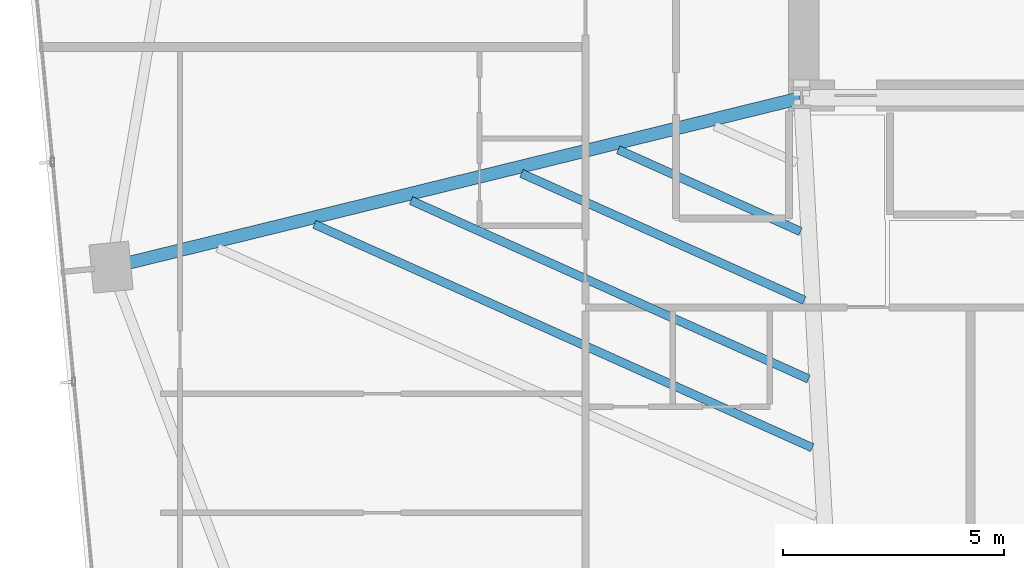
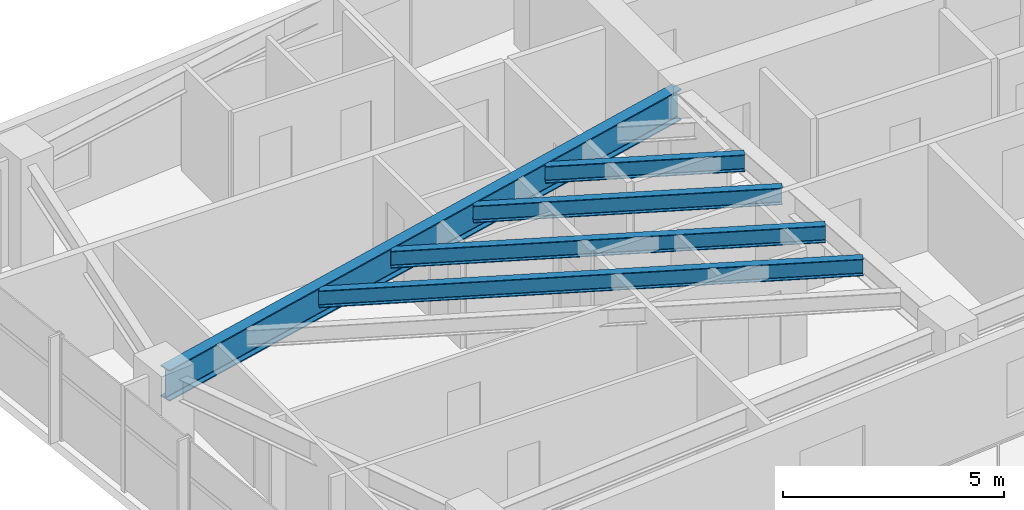
# One storey, part 5 of 27: 5 beams.
"""IFC4 building model written with IfcOpenShell, lengths in metres."""

from ifc_helpers import new_model, si_unit, direction, frame, origin, origin_2d, place, context, subcontext, project, spatial, i_section, extrude, source, transform, mapped, material, material_profile, profile_set, type_object, type_shapes, element, save


model = new_model("IFC4")

# Units and contexts
model_context = context("Model", 3, precision=1e-05, world=origin(), true_north=direction((0.0, 1.0)))
body_context = subcontext(model_context, "Body", "Model", "MODEL_VIEW")
ifc_project = project(units=[si_unit("LENGTHUNIT", "METRE"), si_unit("AREAUNIT", "SQUARE_METRE"), si_unit("VOLUMEUNIT", "CUBIC_METRE"), si_unit("PLANEANGLEUNIT", "RADIAN"), si_unit("MASSUNIT", "GRAM", prefix="KILO")], contexts=[model_context])

# Site, building, storey
site_placement = place(None, origin())
site = spatial("IfcSite", under=ifc_project, at=site_placement, CompositionType="ELEMENT")
building_placement = place(site_placement, origin())
building = spatial("IfcBuilding", under=site, at=building_placement, Name="Astriad Promenade Condominiums", CompositionType="ELEMENT")
storey_placement = place(building_placement, frame((0.0, 0.0, 109.800048828125)))
storey = spatial("IfcBuildingStorey", under=building, at=storey_placement, Name="L31", CompositionType="ELEMENT", Elevation=109.800048828125)

# Beams
ifc_material = material(Name="Steel ASTM A992 Grade 50", Category="steel")
ifc_material_profile_1 = material_profile(ifc_material, i_section(OverallWidth=0.2919921875, OverallDepth=0.85888671875, WebThickness=0.01708984375, FlangeThickness=0.031005859375, FilletRadius=0.02294921875, at=origin_2d()), Name="W33X169")
ifc_profile_set_1 = profile_set([ifc_material_profile_1], Name="Steel ASTM A992 Grade 50")
beam_type_1 = type_object("IfcBeamType", Name="STEEL PRIMARY GIRDER W33X169", PredefinedType="BEAM", material=ifc_profile_set_1)
shared_shape_1 = source(origin(), body_context, "Body", "SweptSolid", [
    extrude(i_section(OverallWidth=0.2919921875, OverallDepth=0.85888671875, WebThickness=0.01708984375, FlangeThickness=0.031005859375, FilletRadius=0.02294921875, at=origin_2d()), origin(), (0.0, 0.0, 1.0), 16.032470703125),
])
type_shapes(beam_type_1, [shared_shape_1])
beam_1_placement = place(storey_placement, frame((10.790283203125, 13.5703125, 2.510498046875), z_axis=(0.971199076901, 0.238269496633, 0.0), x_axis=(-0.238269496633, 0.971199076901, 0.0)))
element("IfcBeam", 1, at=beam_1_placement, inside=storey, type_object=beam_type_1, Name="Primary Floor Girder PG-WM-L31", PredefinedType="BEAM", context=body_context, shape_type="MappedRepresentation", body=[
    mapped(shared_shape_1, transform((0.0, 0.0, 0.0), scale=1.0)),
])
ifc_material_profile_2 = material_profile(ifc_material, i_section(OverallWidth=0.19287109375, OverallDepth=0.466064453125, WebThickness=0.011474609375, FlangeThickness=0.01904296875, FilletRadius=0.01513671875, at=origin_2d()), Name="W18X65")
ifc_profile_set_2 = profile_set([ifc_material_profile_2], Name="Steel ASTM A992 Grade 50")
beam_type_2 = type_object("IfcBeamType", Name="STEEL FLOOR JOIST W18X65", PredefinedType="JOIST", material=ifc_profile_set_2)
shared_shape_2 = source(origin(), body_context, "Body", "SweptSolid", [
    extrude(i_section(OverallWidth=0.19287109375, OverallDepth=0.466064453125, WebThickness=0.011474609375, FlangeThickness=0.01904296875, FilletRadius=0.01513671875, at=origin_2d()), origin(), (0.0, 0.0, 1.0), 12.369140625),
])
beam_2_placement = place(storey_placement, frame((15.35888671875, 14.534423828125, 2.706787109375), z_axis=(0.91230851279, -0.409503574454, 0.0), x_axis=(0.409503574454, 0.91230851279, 0.0)))
element("IfcBeam", 2, at=beam_2_placement, inside=storey, type_object=beam_type_2, Name="Secondary Composite Floor Joist JW1-2-L31", PredefinedType="JOIST", context=body_context, shape_type="MappedRepresentation", body=[
    mapped(shared_shape_2, transform((0.0, 0.0, 0.0), scale=1.0)),
])
shared_shape_3 = source(origin(), body_context, "Body", "SweptSolid", [
    extrude(i_section(OverallWidth=0.19287109375, OverallDepth=0.466064453125, WebThickness=0.011474609375, FlangeThickness=0.01904296875, FilletRadius=0.01513671875, at=origin_2d()), origin(), (0.0, 0.0, 1.0), 9.875),
])
beam_3_placement = place(storey_placement, frame((17.549560546875, 15.072021484375, 2.706787109375), z_axis=(0.912313833055, -0.409491721549, 0.0), x_axis=(0.409491721549, 0.912313833055, 0.0)))
element("IfcBeam", 3, at=beam_3_placement, inside=storey, type_object=beam_type_2, Name="Secondary Composite Floor Joist JW1-3-L31", PredefinedType="JOIST", context=body_context, shape_type="MappedRepresentation", body=[
    mapped(shared_shape_3, transform((0.0, 0.0, 0.0), scale=1.0)),
])
shared_shape_4 = source(origin(), body_context, "Body", "SweptSolid", [
    extrude(i_section(OverallWidth=0.19287109375, OverallDepth=0.466064453125, WebThickness=0.011474609375, FlangeThickness=0.01904296875, FilletRadius=0.01513671875, at=origin_2d()), origin(), (0.0, 0.0, 1.0), 7.024169921875),
])
beam_4_placement = place(storey_placement, frame((20.053466796875, 15.686279296875, 2.706787109375), z_axis=(0.912306106293, -0.409508935703, 0.0), x_axis=(0.409508935703, 0.912306106293, 0.0)))
element("IfcBeam", 4, at=beam_4_placement, inside=storey, type_object=beam_type_2, Name="Secondary Composite Floor Joist JW1-4-L31", PredefinedType="JOIST", context=body_context, shape_type="MappedRepresentation", body=[
    mapped(shared_shape_4, transform((0.0, 0.0, 0.0), scale=1.0)),
])
shared_shape_5 = source(origin(), body_context, "Body", "SweptSolid", [
    extrude(i_section(OverallWidth=0.19287109375, OverallDepth=0.466064453125, WebThickness=0.011474609375, FlangeThickness=0.01904296875, FilletRadius=0.01513671875, at=origin_2d()), origin(), (0.0, 0.0, 1.0), 4.52978515625),
])
type_shapes(beam_type_2, [shared_shape_2, shared_shape_3, shared_shape_4, shared_shape_5])
beam_5_placement = place(storey_placement, frame((22.244140625, 16.2236328125, 2.706787109375), z_axis=(0.912307341368, -0.409506184186, 0.0), x_axis=(0.409506184186, 0.912307341368, 0.0)))
element("IfcBeam", 5, at=beam_5_placement, inside=storey, type_object=beam_type_2, Name="Secondary Composite Floor Joist JW1-5-L31", PredefinedType="JOIST", context=body_context, shape_type="MappedRepresentation", body=[
    mapped(shared_shape_5, transform((0.0, 0.0, 0.0), scale=1.0)),
])

save(model, "model.ifc")
